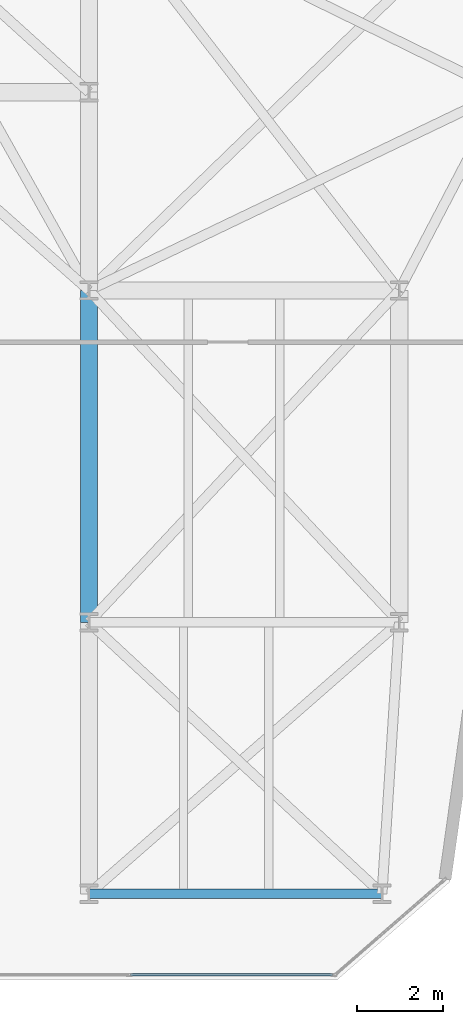
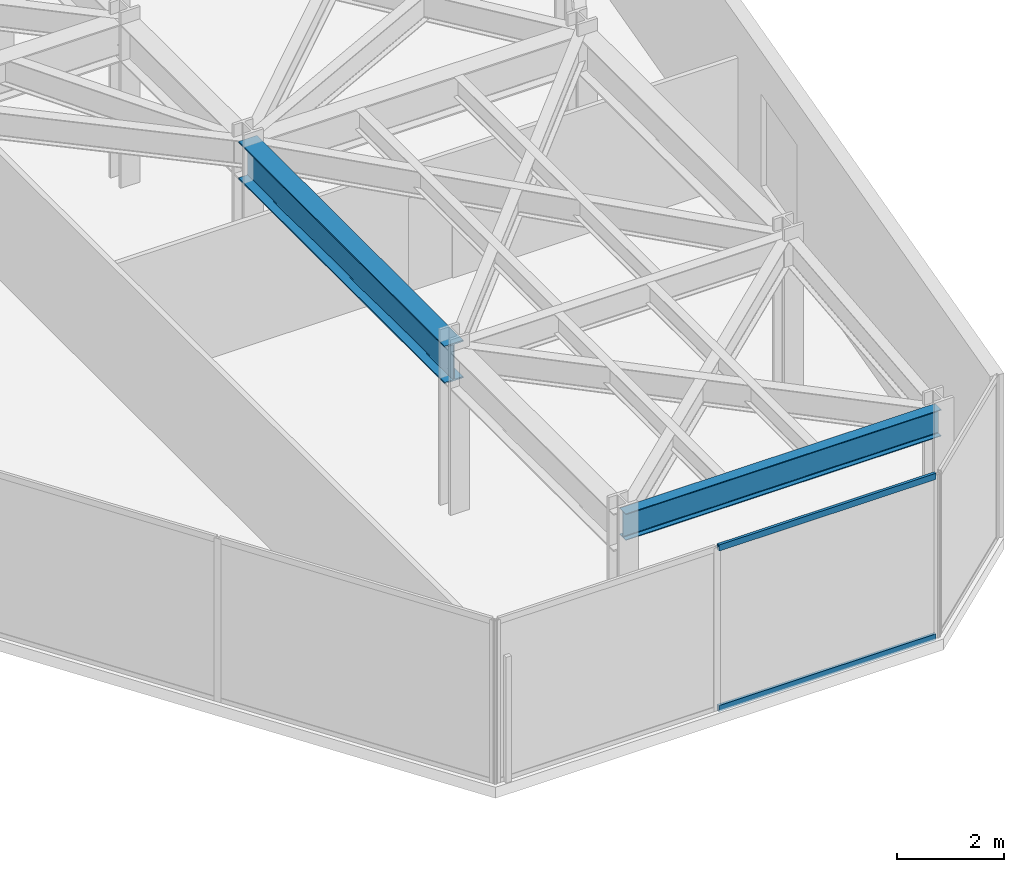
# One storey, part 18 of 26: 2 beams, 2 members, 1 element without a shape of its own.
"""IFC4 building model written with IfcOpenShell, lengths in metres."""

from ifc_helpers import new_model, si_unit, direction, frame, origin, origin_2d, place, context, subcontext, project, spatial, hollow_rectangle, i_section, extrude, material, layer, layer_set, material_profile, profile_set, type_object, element, aggregate, save


model = new_model("IFC4")

# Units and contexts
model_context = context("Model", 3, precision=1e-05, world=origin(), true_north=direction((0.0, 1.0)))
body_context = subcontext(model_context, "Body", "Model", "MODEL_VIEW")
ifc_project = project(units=[si_unit("LENGTHUNIT", "METRE"), si_unit("AREAUNIT", "SQUARE_METRE"), si_unit("VOLUMEUNIT", "CUBIC_METRE"), si_unit("PLANEANGLEUNIT", "RADIAN"), si_unit("MASSUNIT", "GRAM", prefix="KILO")], contexts=[model_context])

# Site, building, storey
site_placement = place(None, origin())
site = spatial("IfcSite", under=ifc_project, at=site_placement, CompositionType="ELEMENT")
building_placement = place(site_placement, origin())
building = spatial("IfcBuilding", under=site, at=building_placement, Name="Kravanh Interchange Tower", CompositionType="ELEMENT")
storey_placement = place(building_placement, frame((0.0, 0.0, 152.0)))
storey = spatial("IfcBuildingStorey", under=building, at=storey_placement, Name="L36", CompositionType="ELEMENT", Elevation=152.0)

# Curtain wall, members
ifc_material_1 = material(Name="Anodised Bronze Aluminium", Category="aluminium")
ifc_layer = layer(ifc_material_1, 0.179931640625)
ifc_layer_set = layer_set([ifc_layer], Name="Unitised Curtain Wall System CW-Z2 Mid Office")
curtain_wall_type = type_object("IfcCurtainWallType", Name="Unitised Curtain Wall System CW-Z2 Mid Office", PredefinedType="NOTDEFINED", material=ifc_layer_set)
curtain_wall_placement = place(storey_placement, origin())
curtain_wall = element("IfcCurtainWall", 1, at=curtain_wall_placement, inside=storey, type_object=curtain_wall_type, Name="L36 Unitised Curtain Wall CW-L36-03", PredefinedType="NOTDEFINED")
ifc_material_2 = material(Name="Anodised Bronze Aluminium", Category="aluminium")
ifc_material_profile_1 = material_profile(ifc_material_2, hollow_rectangle(XDim=0.06005859375, YDim=0.139892578125, WallThickness=0.00390625, at=origin_2d()), Name="ALU60X140X4")
ifc_profile_set_1 = profile_set([ifc_material_profile_1], Name="Anodised Bronze Aluminium")
member_type = type_object("IfcMemberType", Name="Curtain Wall Transom ALU60X140X4 Bronze", PredefinedType="USERDEFINED", material=ifc_profile_set_1)
member_1_placement = place(storey_placement, frame((61.650146484375, 6.320068359375, 0.030029296875), z_axis=(-1.0, 0.0, 0.0), x_axis=(0.0, -1.0, 0.0)))
member_1 = element("IfcMember", 2, at=member_1_placement, type_object=member_type, Name="CW-Z2 transom 1.1", ObjectType="TRANSOM", PredefinedType="USERDEFINED", context=body_context, shape_type="SweptSolid", body=[
    extrude(hollow_rectangle(XDim=0.06005859375, YDim=0.139892578125, WallThickness=0.00390625, at=origin_2d()), origin(), (0.0, 0.0, 1.0), 4.68212890625),
])
member_2_placement = place(storey_placement, frame((61.650146484375, 6.320068359375, 3.68994140625), z_axis=(-1.0, 0.0, 0.0), x_axis=(0.0, -1.0, 0.0)))
member_2 = element("IfcMember", 3, at=member_2_placement, type_object=member_type, Name="CW-Z2 transom 1.2", ObjectType="TRANSOM", PredefinedType="USERDEFINED", context=body_context, shape_type="SweptSolid", body=[
    extrude(hollow_rectangle(XDim=0.06005859375, YDim=0.139892578125, WallThickness=0.00390625, at=origin_2d()), origin(), (0.0, 0.0, 1.0), 4.68212890625),
])
aggregate(curtain_wall, [member_1, member_2])

# Beams
ifc_material_3 = material(Name="Structural Steel S355", Category="steel")
ifc_material_profile_2 = material_profile(ifc_material_3, i_section(OverallWidth=0.39990234375, OverallDepth=0.85595703125, WebThickness=0.018310546875, FlangeThickness=0.029296875, FilletRadius=0.02490234375, at=origin_2d()), Name="W33X201")
ifc_profile_set_2 = profile_set([ifc_material_profile_2], Name="Structural Steel S355")
beam_type_1 = type_object("IfcBeamType", Name="Floor Beam W33X201 Structural Steel S355", PredefinedType="BEAM", material=ifc_profile_set_2)
beam_1_placement = place(storey_placement, frame((56.0, 14.5, 3.2919921875), z_axis=(0.0, 1.0, 0.0), x_axis=(-1.0, 0.0, 0.0)))
element("IfcBeam", 4, at=beam_1_placement, inside=storey, type_object=beam_type_1, Name="L36 Primary Floor Girder 104", PredefinedType="BEAM", context=body_context, shape_type="SweptSolid", body=[
    extrude(i_section(OverallWidth=0.39990234375, OverallDepth=0.85595703125, WebThickness=0.018310546875, FlangeThickness=0.029296875, FilletRadius=0.02490234375, at=origin_2d()), origin(), (0.0, 0.0, 1.0), 7.699951171875),
])
ifc_material_4 = material(Name="Structural Steel S355", Category="steel")
ifc_material_profile_3 = material_profile(ifc_material_4, i_section(OverallWidth=0.22802734375, OverallDepth=0.60791015625, WebThickness=0.01123046875, FlangeThickness=0.017333984375, FilletRadius=0.02197265625, at=origin_2d()), Name="W24X76")
ifc_profile_set_3 = profile_set([ifc_material_profile_3], Name="Structural Steel S355")
beam_type_2 = type_object("IfcBeamType", Name="Floor Spandrel W24X76 Structural Steel S355", PredefinedType="SPANDREL", material=ifc_profile_set_3)
beam_2_placement = place(storey_placement, frame((56.0, 8.199951171875, 3.416015625), z_axis=(1.0, 0.0, 0.0), x_axis=(0.0, 1.0, 0.0)))
element("IfcBeam", 5, at=beam_2_placement, inside=storey, type_object=beam_type_2, Name="L36 Perimeter Spandrel 96", PredefinedType="SPANDREL", context=body_context, shape_type="SweptSolid", body=[
    extrude(i_section(OverallWidth=0.22802734375, OverallDepth=0.60791015625, WebThickness=0.01123046875, FlangeThickness=0.017333984375, FilletRadius=0.02197265625, at=origin_2d()), origin(), (0.0, 0.0, 1.0), 6.800048828125),
])

save(model, "model.ifc")
